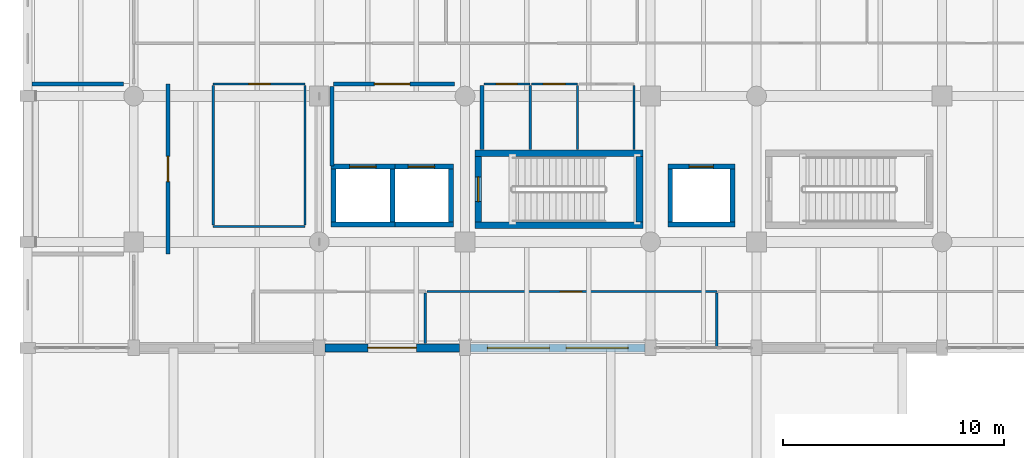
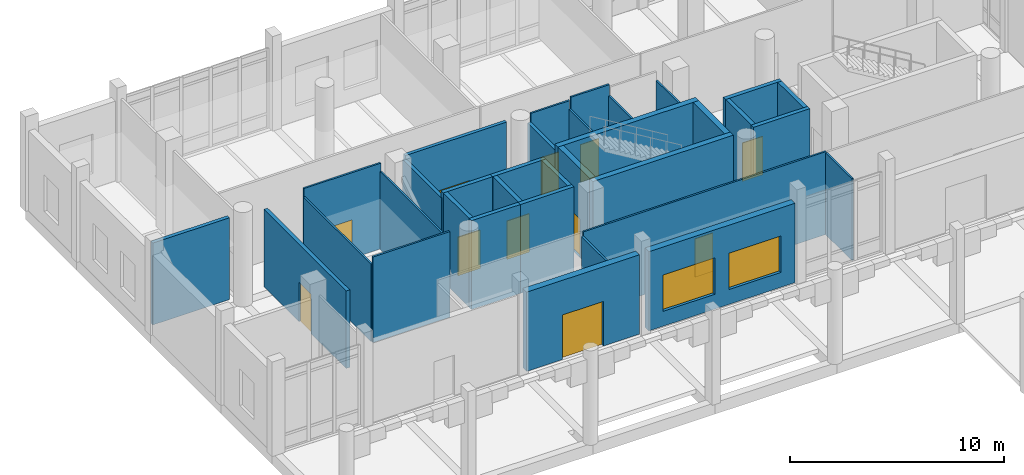
# One storey, part 49 of 72: 34 walls, 11 doors, 2 windows, 13 openings.
"""IFC4 building model written with IfcOpenShell, lengths in metres."""

import ifcopenshell
import ifcopenshell.guid

model = None  # the IFC model being written
_history = None  # IfcOwnerHistory: only IFC2X3 demands one
_inside = {}  # id of a spatial element -> (the spatial element, [elements in it])
_under = {}  # id of a project, library or spatial element -> (it, [spatial elements below it])
_declared = {}  # id of a project -> (the project, [libraries it declares])
_typed = {}  # id of a type object -> (the type object, [elements of that type])
_made_of = {}  # id of a material, layer set ... -> (it, [elements and type objects made of it])


def new_model(schema):
    """Start an empty IFC model of exactly this schema.

    Asked for "IFC4X3", IfcOpenShell would pick the latest addendum, in which some entities
    have other attributes; the version numbers below select the first issue.
    IFC2X3 requires an IfcOwnerHistory on every rooted entity: one is made here for all.
    """
    global model, _history
    if schema == "IFC4X3":
        model = ifcopenshell.file(schema_version=(4, 3, 0, 0))
    else:
        model = ifcopenshell.file(schema=schema)
    _inside.clear()
    _under.clear()
    _declared.clear()
    _typed.clear()
    _made_of.clear()
    _history = None
    if model.schema == "IFC2X3":
        org = make("IfcOrganization", Name="unknown")
        user = make(
            "IfcPersonAndOrganization",
            ThePerson=make("IfcPerson", FamilyName="unknown"),
            TheOrganization=org,
        )
        app = make(
            "IfcApplication",
            ApplicationDeveloper=org,
            Version="unknown",
            ApplicationFullName="unknown",
            ApplicationIdentifier="unknown",
        )
        _history = make(
            "IfcOwnerHistory",
            OwningUser=user,
            OwningApplication=app,
            ChangeAction="ADDED",
            CreationDate=0,
        )
    return model


def make(cls, **values):
    """One entity of the class cls with the attributes given. An attribute that is None is left unset."""
    return model.create_entity(
        cls, **{name: value for name, value in values.items() if value is not None}
    )


def rooted(cls, **values):
    """An entity with a GlobalId (a new one), such as an element, a storey or a relation."""
    return make(cls, GlobalId=ifcopenshell.guid.new(), OwnerHistory=_history, **values)


def si_unit(unit_type, name, prefix=None):
    """IfcSIUnit, for example si_unit("LENGTHUNIT", "METRE", prefix="MILLI")."""
    return make("IfcSIUnit", UnitType=unit_type, Prefix=prefix, Name=name)


def assignment(units):
    """IfcUnitAssignment: the units of a project."""
    return None if units is None else make("IfcUnitAssignment", Units=units)


def point(xyz):
    """IfcCartesianPoint."""
    return None if xyz is None else make("IfcCartesianPoint", Coordinates=xyz)


def direction(xyz):
    """IfcDirection."""
    return None if xyz is None else make("IfcDirection", DirectionRatios=xyz)


def frame(location, z_axis=None, x_axis=None):
    """IfcAxis2Placement3D, a coordinate frame: its origin and axes. An axis left out is left unset."""
    return make(
        "IfcAxis2Placement3D",
        Location=point(location),
        Axis=direction(z_axis),
        RefDirection=direction(x_axis),
    )


def frame_2d(location, x_axis=None):
    """IfcAxis2Placement2D, a coordinate frame in the plane: its origin and x axis."""
    return make(
        "IfcAxis2Placement2D", Location=point(location), RefDirection=direction(x_axis)
    )


def origin():
    """The frame at (0, 0, 0) with its axes left unset."""
    return frame((0.0, 0.0, 0.0))


def place(relative_to, where):
    """IfcLocalPlacement: puts the frame where relative to a parent placement (None: the world)."""
    return make(
        "IfcLocalPlacement", PlacementRelTo=relative_to, RelativePlacement=where
    )


def context(
    kind, dimensions, precision=None, world=None, true_north=None, identifier=None
):
    """IfcGeometricRepresentationContext, for example the 3D "Model" context."""
    return make(
        "IfcGeometricRepresentationContext",
        ContextIdentifier=identifier,
        ContextType=kind,
        CoordinateSpaceDimension=dimensions,
        Precision=precision,
        WorldCoordinateSystem=world,
        TrueNorth=true_north,
    )


def subcontext(parent, identifier, kind, view, scale=None):
    """IfcGeometricRepresentationSubContext, for example "Body" below "Model"."""
    return make(
        "IfcGeometricRepresentationSubContext",
        ContextIdentifier=identifier,
        ContextType=kind,
        ParentContext=parent,
        TargetScale=scale,
        TargetView=view,
    )


def project(units=None, contexts=None):
    """IfcProject with its units and contexts."""
    return rooted(
        "IfcProject",
        Name="project",
        RepresentationContexts=contexts,
        UnitsInContext=assignment(units),
    )


def spatial(cls, under=None, at=None, **own):
    """A site, building, storey or space (cls), placed at a placement, below another one or the project."""
    s = rooted(cls, ObjectPlacement=at, **own)
    if under is not None:
        _under.setdefault(under.id(), (under, []))[1].append(s)
    return s


def profile(cls, at=None, kind="AREA", **sizes):
    """A parametric profile (cls). Its sizes go by their IFC names, for example OverallWidth=200.0."""
    return make(cls, ProfileType=kind, Position=at, **sizes)


def rectangle(**sizes):
    """IfcRectangleProfileDef."""
    return profile("IfcRectangleProfileDef", **sizes)


def extrude(swept, where, along, depth):
    """IfcExtrudedAreaSolid: the profile swept, set in the frame where, extruded along a direction by depth."""
    return make(
        "IfcExtrudedAreaSolid",
        SweptArea=swept,
        Position=where,
        ExtrudedDirection=direction(along),
        Depth=depth,
    )


def shape(context_of_items, identifier, shape_type, items):
    """IfcShapeRepresentation: the items that make up one representation, for example the "Body"."""
    return make(
        "IfcShapeRepresentation",
        ContextOfItems=context_of_items,
        RepresentationIdentifier=identifier,
        RepresentationType=shape_type,
        Items=items,
    )


def material(Name=None, Category=None):
    """IfcMaterial."""
    return make("IfcMaterial", Name=Name, Category=Category)


def layer(
    of_material, thickness, ventilated=None, Name=None, Category=None, Priority=None
):
    """IfcMaterialLayer: one layer of a wall or slab, of a material (None: an air gap)."""
    return make(
        "IfcMaterialLayer",
        Material=of_material,
        LayerThickness=thickness,
        IsVentilated=ventilated,
        Name=Name,
        Category=Category,
        Priority=Priority,
    )


def layer_set(layers, Name=None):
    """IfcMaterialLayerSet."""
    return make("IfcMaterialLayerSet", MaterialLayers=layers, LayerSetName=Name)


def made_of(thing, what):
    """Note that an element or type object is made of a material, layer set ...; save() writes the relation."""
    if what is not None:
        _made_of.setdefault(what.id(), (what, []))[1].append(thing)
    return thing


def type_object(cls, material=None, **own):
    """A type object (cls), such as IfcWallType, which elements share."""
    return made_of(rooted(cls, **own), material)


def element(
    cls,
    number,
    at=None,
    inside=None,
    cuts=None,
    type_object=None,
    material=None,
    context=None,
    identifier="Body",
    shape_type=None,
    held_by="IfcProductDefinitionShape",
    body=None,
    shapes=None,
    **own,
):
    """One element of the class cls, such as IfcWall. Its Tag is "e" and its number.

    at: its placement. inside: the storey or other place that contains it. cuts: it is an
    opening in that element (IfcRelVoidsElement). A single representation is given by context,
    identifier, shape_type and body (its items); several are given by shapes. held_by: the class
    of the entity that holds the representations. save() writes the other relations.
    """
    e = rooted(cls, Tag="e%d" % number, ObjectPlacement=at, **own)
    if body is not None:
        shapes = [shape(context, identifier, shape_type, body)]
    if shapes is not None:
        e.Representation = make(held_by, Representations=shapes)
    if inside is not None:
        _inside.setdefault(inside.id(), (inside, []))[1].append(e)
    if cuts is not None:
        rooted(
            "IfcRelVoidsElement", RelatingBuildingElement=cuts, RelatedOpeningElement=e
        )
    if type_object is not None:
        _typed.setdefault(type_object.id(), (type_object, []))[1].append(e)
    return made_of(e, material)


def fill(opening, filler):
    """IfcRelFillsElement: the door or window that sits in an opening."""
    return rooted(
        "IfcRelFillsElement",
        RelatingOpeningElement=opening,
        RelatedBuildingElement=filler,
    )


def aggregate(whole, parts):
    """IfcRelAggregates: a whole, such as a stair, and the parts it consists of."""
    return rooted("IfcRelAggregates", RelatingObject=whole, RelatedObjects=parts)


def save(model, path):
    """Write the relations noted so far, then the file.

    IfcRelAggregates (storeys below a building ...), IfcRelContainedInSpatialStructure (elements
    in a storey), IfcRelDefinesByType, IfcRelAssociatesMaterial and IfcRelDeclares: one each for
    every whole, place, type object, material and project.
    """
    for whole, parts in _under.values():
        aggregate(whole, parts)
    for where, things in _inside.values():
        rooted(
            "IfcRelContainedInSpatialStructure",
            RelatedElements=things,
            RelatingStructure=where,
        )
    for kind, things in _typed.values():
        rooted("IfcRelDefinesByType", RelatedObjects=things, RelatingType=kind)
    for what, things in _made_of.values():
        rooted("IfcRelAssociatesMaterial", RelatedObjects=things, RelatingMaterial=what)
    for by, libraries in _declared.values():
        rooted("IfcRelDeclares", RelatingContext=by, RelatedDefinitions=libraries)
    model.write(path)


model = new_model("IFC4")

# Units and contexts
model_context = context("Model", 3, precision=1e-05, world=origin(), true_north=direction((0.0, 1.0)))
body_context = subcontext(model_context, "Body", "Model", "MODEL_VIEW")
ifc_project = project(units=[si_unit("LENGTHUNIT", "METRE"), si_unit("AREAUNIT", "SQUARE_METRE"), si_unit("VOLUMEUNIT", "CUBIC_METRE"), si_unit("PLANEANGLEUNIT", "RADIAN"), si_unit("MASSUNIT", "GRAM", prefix="KILO")], contexts=[model_context])

# Site, building, storey
site_placement = place(None, origin())
site = spatial("IfcSite", under=ifc_project, at=site_placement, CompositionType="ELEMENT")
building_placement = place(site_placement, origin())
building = spatial("IfcBuilding", under=site, at=building_placement, Name="Dornvale Research Institute", CompositionType="ELEMENT")
storey_placement = place(building_placement, origin())
storey = spatial("IfcBuildingStorey", under=building, at=storey_placement, Name="L00", CompositionType="ELEMENT", Elevation=0.0)

# Wall
ifc_material_1 = material(Name="Acoustic Insulated Double-Stud Laboratory Partition")
ifc_layer_1 = layer(ifc_material_1, 0.1201171875)
ifc_layer_set_1 = layer_set([ifc_layer_1], Name="Acoustic Insulated Double-Stud Laboratory Partition")
wall_type_1 = type_object("IfcWallType", Name="Partition_Dry_120", PredefinedType="PARTITIONING", material=ifc_layer_set_1)
wall_1_placement = place(storey_placement, frame((18.0, 99.195068359375, 0.0), z_axis=(0.0, 0.0, 1.0), x_axis=(0.0, 1.0, 0.0)))
element("IfcWall", 1, at=wall_1_placement, inside=storey, type_object=wall_type_1, Name="L00 V5 interior partition #87", PredefinedType="PARTITIONING", context=body_context, shape_type="SweptSolid", body=[
    extrude(rectangle(XDim=2.280029296875, YDim=0.1201171875, at=frame_2d((1.14013671875, 0.0))), origin(), (0.0, 0.0, 1.0), 4.530029296875),
])

# Wall, opening, door
ifc_material_2 = material(Name="Fire-Rated Gypsum Board on Cold-Formed Steel Studs", Category="steel")
ifc_layer_2 = layer(ifc_material_2, 0.179931640625)
ifc_layer_set_2 = layer_set([ifc_layer_2], Name="Fire-Rated Gypsum Board on Cold-Formed Steel Studs")
wall_type_2 = type_object("IfcWallType", Name="Partition_FireLobby_180", PredefinedType="PARTITIONING", material=ifc_layer_set_2)
wall_2_placement = place(storey_placement, frame((13.85009765625, 110.949951171875, 0.0), z_axis=(0.0, 0.0, 1.0), x_axis=(1.0, 0.0, 0.0)))
wall_2 = element("IfcWall", 2, at=wall_2_placement, inside=storey, type_object=wall_type_2, Name="L00 Fire Service Access Elevator Lobby north rated partition", PredefinedType="PARTITIONING", context=body_context, shape_type="SweptSolid", body=[
    extrude(rectangle(XDim=5.469970703125, YDim=0.179931640625, at=frame_2d((2.73486328125, 0.0))), origin(), (0.0, 0.0, 1.0), 4.89501953125),
])
opening_1_placement = place(wall_2_placement, frame((1.85009765625, 0.0, 0.0)))
opening_1 = element("IfcOpeningElement", 3, at=opening_1_placement, cuts=wall_2, Name="Opening FD-01", PredefinedType="OPENING", context=body_context, shape_type="SweptSolid", body=[
    extrude(rectangle(XDim=1.60009765625, YDim=2.25, at=frame_2d((0.800048828125, 1.125))), frame((0.0, 0.10498046875, 0.0), z_axis=(0.0, -1.0, 0.0), x_axis=(1.0, 0.0, 0.0)), (0.0, 0.0, 1.0), 0.2099609375),
])
ifc_material_3 = material(Name="Insulated Fire-Rated Hollow Metal Door Assembly")
door_type_1 = type_object("IfcDoorType", Name="Door_FireLobby_1600x2250", OperationType="SINGLE_SWING_LEFT", PredefinedType="DOOR", material=ifc_material_3)
door_1_placement = place(opening_1_placement, origin())
door_1 = element("IfcDoor", 4, at=door_1_placement, inside=storey, type_object=door_type_1, Name="L00 Fire Service Access Elevator Lobby door", OperationType="DOUBLE_DOOR_SINGLE_SWING", OverallHeight=2.25, OverallWidth=1.60009765625, PredefinedType="DOOR", context=body_context, shape_type="SweptSolid", body=[
    extrude(rectangle(XDim=1.60009765625, YDim=2.25, at=frame_2d((0.800048828125, 1.125))), frame((0.0, 0.02490234375, 0.0), z_axis=(0.0, -1.0, 0.0), x_axis=(1.0, 0.0, 0.0)), (0.0, 0.0, 1.0), 0.050048828125),
])
fill(opening_1, door_1)

# Walls
wall_3_placement = place(storey_placement, frame((13.780029296875, 107.22998046875, 0.0), z_axis=(0.0, 0.0, 1.0), x_axis=(0.0, 1.0, 0.0)))
element("IfcWall", 5, at=wall_3_placement, inside=storey, type_object=wall_type_2, Name="L00 Fire Service Access Elevator Lobby west rated partition", PredefinedType="PARTITIONING", context=body_context, shape_type="SweptSolid", body=[
    extrude(rectangle(XDim=3.610107421875, YDim=0.179931640625, at=frame_2d((1.80517578125, 0.0))), origin(), (0.0, 0.0, 1.0), 4.72998046875),
])
wall_4_placement = place(storey_placement, frame((20.56005859375, 107.97998046875, 0.0), z_axis=(0.0, 0.0, 1.0), x_axis=(0.0, 1.0, 0.0)))
element("IfcWall", 6, at=wall_4_placement, inside=storey, type_object=wall_type_2, Name="L00 Fire Service Access Elevator Lobby east rated partition", PredefinedType="PARTITIONING", context=body_context, shape_type="SweptSolid", body=[
    extrude(rectangle(XDim=2.909912109375, YDim=0.179931640625, at=frame_2d((1.455078125, 0.0))), origin(), (0.0, 0.0, 1.0), 4.429931640625),
])
ifc_material_4 = material(Name="Fire-Rated Gypsum Board on Cold-Formed Steel Studs", Category="steel")
ifc_layer_3 = layer(ifc_material_4, 0.199951171875)
ifc_layer_set_3 = layer_set([ifc_layer_3], Name="Fire-Rated Gypsum Board on Cold-Formed Steel Studs")
wall_type_3 = type_object("IfcWallType", Name="Partition_FireWall_200", PredefinedType="PARTITIONING", material=ifc_layer_set_3)
wall_5_placement = place(storey_placement, frame((0.195068359375, 110.949951171875, 0.0), z_axis=(0.0, 0.0, 1.0), x_axis=(1.0, 0.0, 0.0)))
element("IfcWall", 7, at=wall_5_placement, inside=storey, type_object=wall_type_3, Name="L00 V5 interior partition #69", PredefinedType="PARTITIONING", context=body_context, shape_type="SweptSolid", body=[
    extrude(rectangle(XDim=4.135009765625, YDim=0.199951171875, at=frame_2d((2.0673828125, 0.0))), origin(), (0.0, 0.0, 1.0), 4.679931640625),
])

# Wall, opening, door
wall_6_placement = place(storey_placement, frame((6.35009765625, 103.25, 0.0), z_axis=(0.0, 0.0, 1.0), x_axis=(0.0, 1.0, 0.0)))
wall_6 = element("IfcWall", 8, at=wall_6_placement, inside=storey, type_object=wall_type_3, Name="L00 V5 interior partition #70", PredefinedType="PARTITIONING", context=body_context, shape_type="SweptSolid", body=[
    extrude(rectangle(XDim=7.699951171875, YDim=0.199951171875, at=frame_2d((3.85009765625, 0.0))), origin(), (0.0, 0.0, 1.0), 4.429931640625),
])
opening_2_placement = place(wall_6_placement, frame((3.27490234375, 0.0, 0.0)))
opening_2 = element("IfcOpeningElement", 9, at=opening_2_placement, cuts=wall_6, Name="Opening FD-02", PredefinedType="OPENING", context=body_context, shape_type="SweptSolid", body=[
    extrude(rectangle(XDim=1.14990234375, YDim=2.25, at=frame_2d((0.574951171875, 1.125))), frame((0.0, 0.114990234375, 0.0), z_axis=(0.0, -1.0, 0.0), x_axis=(1.0, 0.0, 0.0)), (0.0, 0.0, 1.0), 0.22998046875),
])
ifc_material_5 = material(Name="Insulated Fire-Rated Hollow Metal Door Assembly")
door_type_2 = type_object("IfcDoorType", Name="Door_FCC_1150x2250", OperationType="SINGLE_SWING_LEFT", PredefinedType="DOOR", material=ifc_material_5)
door_2_placement = place(opening_2_placement, origin())
door_2 = element("IfcDoor", 10, at=door_2_placement, inside=storey, type_object=door_type_2, Name="L00 Fire Command Center door #30", OperationType="SINGLE_SWING_LEFT", OverallHeight=2.25, OverallWidth=1.14990234375, PredefinedType="DOOR", context=body_context, shape_type="SweptSolid", body=[
    extrude(rectangle(XDim=1.14990234375, YDim=2.25, at=frame_2d((0.574951171875, 1.125))), frame((0.0, 0.02490234375, 0.0), z_axis=(0.0, -1.0, 0.0), x_axis=(1.0, 0.0, 0.0)), (0.0, 0.0, 1.0), 0.050048828125),
])
fill(opening_2, door_2)

ifc_material_6 = material(Name="Acoustic Insulated Double-Stud Laboratory Partition")
ifc_layer_4 = layer(ifc_material_6, 0.10009765625)
ifc_layer_set_4 = layer_set([ifc_layer_4], Name="Acoustic Insulated Double-Stud Laboratory Partition")
wall_type_4 = type_object("IfcWallType", Name="Partition_Office_100", PredefinedType="PARTITIONING", material=ifc_layer_set_4)
wall_7_placement = place(storey_placement, frame((20.6650390625, 110.949951171875, 0.0), z_axis=(0.0, 0.0, 1.0), x_axis=(1.0, 0.0, 0.0)))
wall_7 = element("IfcWall", 11, at=wall_7_placement, inside=storey, type_object=wall_type_4, Name="L00 V5 interior partition #62", PredefinedType="PARTITIONING", context=body_context, shape_type="SweptSolid", body=[
    extrude(rectangle(XDim=2.0849609375, YDim=0.10009765625, at=frame_2d((1.04248046875, 0.0))), origin(), (0.0, 0.0, 1.0), 4.89501953125),
])
opening_3_placement = place(wall_7_placement, frame((0.56005859375, 0.0, 0.0)))
opening_3 = element("IfcOpeningElement", 12, at=opening_3_placement, cuts=wall_7, Name="Opening ID-23", PredefinedType="OPENING", context=body_context, shape_type="SweptSolid", body=[
    extrude(rectangle(XDim=0.949951171875, YDim=2.14990234375, at=frame_2d((0.47509765625, 1.074951171875))), frame((0.0, 0.06494140625, 0.0), z_axis=(0.0, -1.0, 0.0), x_axis=(1.0, 0.0, 0.0)), (0.0, 0.0, 1.0), 0.130126953125),
])
ifc_material_7 = material(Name="Phenolic-Faced Solid-Core Laboratory Door Assembly")
door_type_3 = type_object("IfcDoorType", Name="Door_WC_950x2150", OperationType="SINGLE_SWING_LEFT", PredefinedType="DOOR", material=ifc_material_7)
door_3_placement = place(opening_3_placement, origin())
door_3 = element("IfcDoor", 13, at=door_3_placement, inside=storey, type_object=door_type_3, Name="L00 Male Restroom L00 door #27", OperationType="SINGLE_SWING_RIGHT", OverallHeight=2.14990234375, OverallWidth=0.949951171875, PredefinedType="DOOR", context=body_context, shape_type="SweptSolid", body=[
    extrude(rectangle(XDim=0.949951171875, YDim=2.14990234375, at=frame_2d((0.47509765625, 1.074951171875))), frame((0.0, 0.02490234375, 0.0), z_axis=(0.0, -1.0, 0.0), x_axis=(1.0, 0.0, 0.0)), (0.0, 0.0, 1.0), 0.050048828125),
])
fill(opening_3, door_3)

# Wall
wall_8_placement = place(storey_placement, frame((22.75, 107.97998046875, 0.0), z_axis=(0.0, 0.0, 1.0), x_axis=(0.0, 1.0, 0.0)))
element("IfcWall", 14, at=wall_8_placement, inside=storey, type_object=wall_type_4, Name="L00 V5 interior partition #63", PredefinedType="PARTITIONING", context=body_context, shape_type="SweptSolid", body=[
    extrude(rectangle(XDim=2.905029296875, YDim=0.10009765625, at=frame_2d((1.45263671875, 0.0))), origin(), (0.0, 0.0, 1.0), 4.429931640625),
])

# Wall, opening, door
wall_9_placement = place(storey_placement, frame((22.81494140625, 110.949951171875, 0.0), z_axis=(0.0, 0.0, 1.0), x_axis=(1.0, 0.0, 0.0)))
wall_9 = element("IfcWall", 15, at=wall_9_placement, inside=storey, type_object=wall_type_4, Name="L00 V5 interior partition #64", PredefinedType="PARTITIONING", context=body_context, shape_type="SweptSolid", body=[
    extrude(rectangle(XDim=2.0849609375, YDim=0.10009765625, at=frame_2d((1.04248046875, 0.0))), origin(), (0.0, 0.0, 1.0), 5.06005859375),
])
opening_4_placement = place(wall_9_placement, frame((0.534912109375, 0.0, 0.0)))
opening_4 = element("IfcOpeningElement", 16, at=opening_4_placement, cuts=wall_9, Name="Opening ID-24", PredefinedType="OPENING", context=body_context, shape_type="SweptSolid", body=[
    extrude(rectangle(XDim=1.0, YDim=2.14990234375, at=frame_2d((0.5, 1.074951171875))), frame((0.0, 0.06494140625, 0.0), z_axis=(0.0, -1.0, 0.0), x_axis=(1.0, 0.0, 0.0)), (0.0, 0.0, 1.0), 0.130126953125),
])
ifc_material_8 = material(Name="Phenolic-Faced Solid-Core Laboratory Door Assembly")
door_type_4 = type_object("IfcDoorType", Name="Door_AccWC_1000x2150", OperationType="SINGLE_SWING_LEFT", PredefinedType="DOOR", material=ifc_material_8)
door_4_placement = place(opening_4_placement, origin())
door_4 = element("IfcDoor", 17, at=door_4_placement, inside=storey, type_object=door_type_4, Name="L00 Female Restroom L00 door #28", OperationType="SINGLE_SWING_LEFT", OverallHeight=2.14990234375, OverallWidth=1.0, PredefinedType="DOOR", context=body_context, shape_type="SweptSolid", body=[
    extrude(rectangle(XDim=1.0, YDim=2.14990234375, at=frame_2d((0.5, 1.074951171875))), frame((0.0, 0.02490234375, 0.0), z_axis=(0.0, -1.0, 0.0), x_axis=(1.0, 0.0, 0.0)), (0.0, 0.0, 1.0), 0.050048828125),
])
fill(opening_4, door_4)

# Walls
for number, where, z_axis, x_axis, name in (
    (18, (24.89990234375, 107.97998046875, 0.0), (0.0, 0.0, 1.0), (0.0, 1.0, 0.0), "L00 V5 interior partition #65"),
    (19, (27.449951171875, 107.97998046875, 0.0), (0.0, 0.0, 1.0), (0.0, 1.0, 0.0), "L00 V5 interior partition #67"),
):
    element("IfcWall", number, at=place(storey_placement, frame(where, z_axis=z_axis, x_axis=x_axis)), inside=storey, type_object=wall_type_4, Name=name, PredefinedType="PARTITIONING", context=body_context, shape_type="SweptSolid", body=[
        extrude(rectangle(XDim=2.905029296875, YDim=0.10009765625, at=frame_2d((1.45263671875, 0.0))), origin(), (0.0, 0.0, 1.0), 4.429931640625),
    ])
wall_10_placement = place(storey_placement, frame((8.39990234375, 104.5, 0.0), z_axis=(0.0, 0.0, 1.0), x_axis=(1.0, 0.0, 0.0)))
element("IfcWall", 20, at=wall_10_placement, inside=storey, type_object=wall_type_4, Name="L00 V5 interior partition #71", PredefinedType="PARTITIONING", context=body_context, shape_type="SweptSolid", body=[
    extrude(rectangle(XDim=4.150146484375, YDim=0.10009765625, at=frame_2d((2.0751953125, 0.0))), origin(), (0.0, 0.0, 1.0), 4.89501953125),
])

# Wall, opening, door
wall_11_placement = place(storey_placement, frame((8.39990234375, 110.949951171875, 0.0), z_axis=(0.0, 0.0, 1.0), x_axis=(1.0, 0.0, 0.0)))
wall_11 = element("IfcWall", 21, at=wall_11_placement, inside=storey, type_object=wall_type_4, Name="L00 V5 interior partition #72", PredefinedType="PARTITIONING", context=body_context, shape_type="SweptSolid", body=[
    extrude(rectangle(XDim=4.150146484375, YDim=0.10009765625, at=frame_2d((2.0751953125, 0.0))), origin(), (0.0, 0.0, 1.0), 4.89501953125),
])
opening_5_placement = place(wall_11_placement, frame((1.610107421875, 0.0, 0.0)))
opening_5 = element("IfcOpeningElement", 22, at=opening_5_placement, cuts=wall_11, Name="Opening ID-21", PredefinedType="OPENING", context=body_context, shape_type="SweptSolid", body=[
    extrude(rectangle(XDim=0.97998046875, YDim=2.199951171875, at=frame_2d((0.489990234375, 1.10009765625))), frame((0.0, 0.06494140625, 0.0), z_axis=(0.0, -1.0, 0.0), x_axis=(1.0, 0.0, 0.0)), (0.0, 0.0, 1.0), 0.130126953125),
])
ifc_material_9 = material(Name="Phenolic-Faced Solid-Core Laboratory Door Assembly")
door_type_5 = type_object("IfcDoorType", Name="Door_Office_980x2200", OperationType="SINGLE_SWING_LEFT", PredefinedType="DOOR", material=ifc_material_9)
door_5_placement = place(opening_5_placement, origin())
door_5 = element("IfcDoor", 23, at=door_5_placement, inside=storey, type_object=door_type_5, Name="L00 Campus Security and Operations Office door #31", OperationType="SINGLE_SWING_RIGHT", OverallHeight=2.199951171875, OverallWidth=0.97998046875, PredefinedType="DOOR", context=body_context, shape_type="SweptSolid", body=[
    extrude(rectangle(XDim=0.97998046875, YDim=2.199951171875, at=frame_2d((0.489990234375, 1.10009765625))), frame((0.0, 0.02490234375, 0.0), z_axis=(0.0, -1.0, 0.0), x_axis=(1.0, 0.0, 0.0)), (0.0, 0.0, 1.0), 0.050048828125),
])
fill(opening_5, door_5)

# Walls
for number, where, z_axis, x_axis, name in (
    (24, (8.39990234375, 104.56494140625, 0.0), (0.0, 0.0, 1.0), (0.0, 1.0, 0.0), "L00 V5 interior partition #73"),
    (25, (12.550048828125, 104.56494140625, 0.0), (0.0, 0.0, 1.0), (0.0, 1.0, 0.0), "L00 V5 interior partition #74"),
):
    element("IfcWall", number, at=place(storey_placement, frame(where, z_axis=z_axis, x_axis=x_axis)), inside=storey, type_object=wall_type_4, Name=name, PredefinedType="PARTITIONING", context=body_context, shape_type="SweptSolid", body=[
        extrude(rectangle(XDim=6.320068359375, YDim=0.10009765625, at=frame_2d((3.16015625, 0.0))), origin(), (0.0, 0.0, 1.0), 4.429931640625),
    ])

# Wall, opening, door
wall_12_placement = place(storey_placement, frame((18.074951171875, 101.550048828125, 0.0), z_axis=(0.0, 0.0, 1.0), x_axis=(1.0, 0.0, 0.0)))
wall_12 = element("IfcWall", 26, at=wall_12_placement, inside=storey, type_object=wall_type_4, Name="L00 V5 interior partition #88", PredefinedType="PARTITIONING", context=body_context, shape_type="SweptSolid", body=[
    extrude(rectangle(XDim=13.125, YDim=0.10009765625, at=frame_2d((6.5625, 0.0))), origin(), (0.0, 0.0, 1.0), 4.72998046875),
])
opening_6_placement = place(wall_12_placement, frame((6.034912109375, 0.0, 0.0)))
opening_6 = element("IfcOpeningElement", 27, at=opening_6_placement, cuts=wall_12, Name="Opening ID-21", PredefinedType="OPENING", context=body_context, shape_type="SweptSolid", body=[
    extrude(rectangle(XDim=0.97998046875, YDim=2.199951171875, at=frame_2d((0.489990234375, 1.10009765625))), frame((0.0, 0.06494140625, 0.0), z_axis=(0.0, -1.0, 0.0), x_axis=(1.0, 0.0, 0.0)), (0.0, 0.0, 1.0), 0.130126953125),
])
door_6_placement = place(opening_6_placement, origin())
door_6 = element("IfcDoor", 28, at=door_6_placement, inside=storey, type_object=door_type_5, Name="L00 Academic Administration Office door #39", OperationType="SINGLE_SWING_RIGHT", OverallHeight=2.199951171875, OverallWidth=0.97998046875, PredefinedType="DOOR", context=body_context, shape_type="SweptSolid", body=[
    extrude(rectangle(XDim=0.97998046875, YDim=2.199951171875, at=frame_2d((0.489990234375, 1.10009765625))), frame((0.0, 0.02490234375, 0.0), z_axis=(0.0, -1.0, 0.0), x_axis=(1.0, 0.0, 0.0)), (0.0, 0.0, 1.0), 0.050048828125),
])
fill(opening_6, door_6)

# Walls
wall_13_placement = place(storey_placement, frame((31.199951171875, 99.0400390625, 0.0), z_axis=(0.0, 0.0, 1.0), x_axis=(0.0, 1.0, 0.0)))
element("IfcWall", 29, at=wall_13_placement, inside=storey, type_object=wall_type_4, Name="L00 V5 interior partition #89", PredefinedType="PARTITIONING", context=body_context, shape_type="SweptSolid", body=[
    extrude(rectangle(XDim=2.445068359375, YDim=0.10009765625, at=frame_2d((1.22265625, 0.0))), origin(), (0.0, 0.0, 1.0), 4.679931640625),
])
ifc_material_10 = material(Name="Concrete f'c 50 MPa (C40/50)", Category="concrete")
ifc_layer_5 = layer(ifc_material_10, 0.300048828125)
ifc_layer_set_5 = layer_set([ifc_layer_5], Name="Concrete f'c 50 MPa (C40/50)")
wall_type_5 = type_object("IfcWallType", Name="ShearWall_Core_300", PredefinedType="SHEAR", material=ifc_layer_set_5)
for number, where, z_axis, x_axis, name in (
    (30, (20.25, 104.550048828125, 0.0), (0.0, 0.0, 1.0), (1.0, 0.0, 0.0), "L00 ST-1 shaft shear wall south"),
    (31, (20.25, 107.81005859375, 0.0), (0.0, 0.0, 1.0), (1.0, 0.0, 0.0), "L00 ST-1 shaft shear wall north"),
):
    element("IfcWall", number, at=place(storey_placement, frame(where, z_axis=z_axis, x_axis=x_axis)), inside=storey, type_object=wall_type_5, Name=name, PredefinedType="SHEAR", context=body_context, shape_type="SweptSolid", body=[
        extrude(rectangle(XDim=7.60009765625, YDim=0.300048828125, at=frame_2d((3.800048828125, 0.0))), origin(), (0.0, 0.0, 1.0), 5.080078125),
    ])

# Wall, opening, door
wall_14_placement = place(storey_placement, frame((20.39990234375, 104.699951171875, 0.0), z_axis=(0.0, 0.0, 1.0), x_axis=(0.0, 1.0, 0.0)))
wall_14 = element("IfcWall", 32, at=wall_14_placement, inside=storey, type_object=wall_type_5, Name="L00 ST-1 shaft shear wall west", PredefinedType="SHEAR", context=body_context, shape_type="SweptSolid", body=[
    extrude(rectangle(XDim=2.9599609375, YDim=0.300048828125, at=frame_2d((1.47998046875, 0.0))), origin(), (0.0, 0.0, 1.0), 5.080078125),
])
opening_7_placement = place(wall_14_placement, frame((0.919921875, 0.0, 0.0)))
opening_7 = element("IfcOpeningElement", 33, at=opening_7_placement, cuts=wall_14, Name="Opening SD-01", PredefinedType="OPENING", context=body_context, shape_type="SweptSolid", body=[
    extrude(rectangle(XDim=1.1201171875, YDim=2.199951171875, at=frame_2d((0.56005859375, 1.10009765625))), frame((0.0, 0.1650390625, 0.0), z_axis=(0.0, -1.0, 0.0), x_axis=(1.0, 0.0, 0.0)), (0.0, 0.0, 1.0), 0.330078125),
])
ifc_material_11 = material(Name="Insulated Fire-Rated Hollow Metal Door Assembly")
door_type_6 = type_object("IfcDoorType", Name="Door_Stair_1120x2200", OperationType="SINGLE_SWING_LEFT", PredefinedType="DOOR", material=ifc_material_11)
door_7_placement = place(opening_7_placement, origin())
door_7 = element("IfcDoor", 34, at=door_7_placement, inside=storey, type_object=door_type_6, Name="L00 ST-1 exit stair door #2", OperationType="SINGLE_SWING_RIGHT", OverallHeight=2.199951171875, OverallWidth=1.1201171875, PredefinedType="DOOR", context=body_context, shape_type="SweptSolid", body=[
    extrude(rectangle(XDim=1.1201171875, YDim=2.199951171875, at=frame_2d((0.56005859375, 1.10009765625))), frame((0.0, 0.02490234375, 0.0), z_axis=(0.0, -1.0, 0.0), x_axis=(1.0, 0.0, 0.0)), (0.0, 0.0, 1.0), 0.050048828125),
])
fill(opening_7, door_7)

# Walls
wall_15_placement = place(storey_placement, frame((27.699951171875, 104.699951171875, 0.0), z_axis=(0.0, 0.0, 1.0), x_axis=(0.0, 1.0, 0.0)))
element("IfcWall", 35, at=wall_15_placement, inside=storey, type_object=wall_type_5, Name="L00 ST-1 shaft shear wall east", PredefinedType="SHEAR", context=body_context, shape_type="SweptSolid", body=[
    extrude(rectangle(XDim=2.9599609375, YDim=0.300048828125, at=frame_2d((1.47998046875, 0.0))), origin(), (0.0, 0.0, 1.0), 5.080078125),
])
ifc_material_12 = material(Name="Concrete f'c 45 MPa (C35/45)", Category="concrete")
ifc_layer_6 = layer(ifc_material_12, 0.219970703125)
ifc_layer_set_6 = layer_set([ifc_layer_6], Name="Concrete f'c 45 MPa (C35/45)")
wall_type_6 = type_object("IfcWallType", Name="ShearWall_Shaft_220", PredefinedType="SHEAR", material=ifc_layer_set_6)
wall_16_placement = place(storey_placement, frame((13.72998046875, 104.590087890625, 0.0), z_axis=(0.0, 0.0, 1.0), x_axis=(1.0, 0.0, 0.0)))
element("IfcWall", 36, at=wall_16_placement, inside=storey, type_object=wall_type_6, Name="L00 FS1 elevator shaft wall south", PredefinedType="SHEAR", context=body_context, shape_type="SweptSolid", body=[
    extrude(rectangle(XDim=2.89013671875, YDim=0.219970703125, at=frame_2d((1.445068359375, 0.0))), origin(), (0.0, 0.0, 1.0), 5.080078125),
])

# Wall, opening, door
wall_17_placement = place(storey_placement, frame((13.72998046875, 107.2099609375, 0.0), z_axis=(0.0, 0.0, 1.0), x_axis=(1.0, 0.0, 0.0)))
wall_17 = element("IfcWall", 37, at=wall_17_placement, inside=storey, type_object=wall_type_6, Name="L00 FS1 elevator shaft wall north", PredefinedType="SHEAR", context=body_context, shape_type="SweptSolid", body=[
    extrude(rectangle(XDim=2.89013671875, YDim=0.219970703125, at=frame_2d((1.445068359375, 0.0))), origin(), (0.0, 0.0, 1.0), 5.080078125),
])
opening_8_placement = place(wall_17_placement, frame((0.844970703125, 0.0, 0.0)))
opening_8 = element("IfcOpeningElement", 38, at=opening_8_placement, cuts=wall_17, Name="Opening LD-01", PredefinedType="OPENING", context=body_context, shape_type="SweptSolid", body=[
    extrude(rectangle(XDim=1.199951171875, YDim=2.199951171875, at=frame_2d((0.60009765625, 1.10009765625))), frame((0.0, 0.125, 0.0), z_axis=(0.0, -1.0, 0.0), x_axis=(1.0, 0.0, 0.0)), (0.0, 0.0, 1.0), 0.25),
])
ifc_material_13 = material(Name="Brushed Stainless Steel Sliding Elevator Landing Door", Category="steel")
door_type_7 = type_object("IfcDoorType", Name="Door_LiftLanding_FSAE_1200x2200", OperationType="SINGLE_SWING_LEFT", PredefinedType="DOOR", material=ifc_material_13)
door_8_placement = place(opening_8_placement, origin())
door_8 = element("IfcDoor", 39, at=door_8_placement, inside=storey, type_object=door_type_7, Name="L00 FS1 sliding elevator landing door #2", OperationType="DOUBLE_DOOR_SLIDING", OverallHeight=2.199951171875, OverallWidth=1.199951171875, PredefinedType="DOOR", context=body_context, shape_type="SweptSolid", body=[
    extrude(rectangle(XDim=1.199951171875, YDim=2.199951171875, at=frame_2d((0.60009765625, 1.10009765625))), frame((0.0, 0.02490234375, 0.0), z_axis=(0.0, -1.0, 0.0), x_axis=(1.0, 0.0, 0.0)), (0.0, 0.0, 1.0), 0.050048828125),
])
fill(opening_8, door_8)

# Walls
for number, where, z_axis, x_axis, name in (
    (40, (13.840087890625, 104.699951171875, 0.0), (0.0, 0.0, 1.0), (0.0, 1.0, 0.0), "L00 FS1 elevator shaft wall west"),
    (41, (16.510009765625, 104.699951171875, 0.0), (0.0, 0.0, 1.0), (0.0, 1.0, 0.0), "L00 FS1 elevator shaft wall east"),
):
    element("IfcWall", number, at=place(storey_placement, frame(where, z_axis=z_axis, x_axis=x_axis)), inside=storey, type_object=wall_type_6, Name=name, PredefinedType="SHEAR", context=body_context, shape_type="SweptSolid", body=[
        extrude(rectangle(XDim=2.400146484375, YDim=0.219970703125, at=frame_2d((1.2001953125, 0.0))), origin(), (0.0, 0.0, 1.0), 5.080078125),
    ])
wall_18_placement = place(storey_placement, frame((16.3798828125, 104.590087890625, 0.0), z_axis=(0.0, 0.0, 1.0), x_axis=(1.0, 0.0, 0.0)))
element("IfcWall", 42, at=wall_18_placement, inside=storey, type_object=wall_type_6, Name="L00 FS2 elevator shaft wall south", PredefinedType="SHEAR", context=body_context, shape_type="SweptSolid", body=[
    extrude(rectangle(XDim=2.89013671875, YDim=0.219970703125, at=frame_2d((1.445068359375, 0.0))), origin(), (0.0, 0.0, 1.0), 5.080078125),
])

# Wall, opening, door
wall_19_placement = place(storey_placement, frame((16.3798828125, 107.2099609375, 0.0), z_axis=(0.0, 0.0, 1.0), x_axis=(1.0, 0.0, 0.0)))
wall_19 = element("IfcWall", 43, at=wall_19_placement, inside=storey, type_object=wall_type_6, Name="L00 FS2 elevator shaft wall north", PredefinedType="SHEAR", context=body_context, shape_type="SweptSolid", body=[
    extrude(rectangle(XDim=2.89013671875, YDim=0.219970703125, at=frame_2d((1.445068359375, 0.0))), origin(), (0.0, 0.0, 1.0), 5.080078125),
])
opening_9_placement = place(wall_19_placement, frame((0.844970703125, 0.0, 0.0)))
opening_9 = element("IfcOpeningElement", 44, at=opening_9_placement, cuts=wall_19, Name="Opening LD-01", PredefinedType="OPENING", context=body_context, shape_type="SweptSolid", body=[
    extrude(rectangle(XDim=1.199951171875, YDim=2.199951171875, at=frame_2d((0.60009765625, 1.10009765625))), frame((0.0, 0.125, 0.0), z_axis=(0.0, -1.0, 0.0), x_axis=(1.0, 0.0, 0.0)), (0.0, 0.0, 1.0), 0.25),
])
door_9_placement = place(opening_9_placement, origin())
door_9 = element("IfcDoor", 45, at=door_9_placement, inside=storey, type_object=door_type_7, Name="L00 FS2 sliding elevator landing door #14", OperationType="DOUBLE_DOOR_SLIDING", OverallHeight=2.199951171875, OverallWidth=1.199951171875, PredefinedType="DOOR", context=body_context, shape_type="SweptSolid", body=[
    extrude(rectangle(XDim=1.199951171875, YDim=2.199951171875, at=frame_2d((0.60009765625, 1.10009765625))), frame((0.0, 0.02490234375, 0.0), z_axis=(0.0, -1.0, 0.0), x_axis=(1.0, 0.0, 0.0)), (0.0, 0.0, 1.0), 0.050048828125),
])
fill(opening_9, door_9)

# Walls
wall_20_placement = place(storey_placement, frame((19.159912109375, 104.699951171875, 0.0), z_axis=(0.0, 0.0, 1.0), x_axis=(0.0, 1.0, 0.0)))
element("IfcWall", 46, at=wall_20_placement, inside=storey, type_object=wall_type_6, Name="L00 FS2 elevator shaft wall east", PredefinedType="SHEAR", context=body_context, shape_type="SweptSolid", body=[
    extrude(rectangle(XDim=2.400146484375, YDim=0.219970703125, at=frame_2d((1.2001953125, 0.0))), origin(), (0.0, 0.0, 1.0), 5.080078125),
])
wall_21_placement = place(storey_placement, frame((28.97998046875, 104.590087890625, 0.0), z_axis=(0.0, 0.0, 1.0), x_axis=(1.0, 0.0, 0.0)))
element("IfcWall", 47, at=wall_21_placement, inside=storey, type_object=wall_type_6, Name="L00 LP1 elevator shaft wall south", PredefinedType="SHEAR", context=body_context, shape_type="SweptSolid", body=[
    extrude(rectangle(XDim=3.0400390625, YDim=0.219970703125, at=frame_2d((1.52001953125, 0.0))), origin(), (0.0, 0.0, 1.0), 5.080078125),
])

# Wall, opening, door
wall_22_placement = place(storey_placement, frame((28.97998046875, 107.2099609375, 0.0), z_axis=(0.0, 0.0, 1.0), x_axis=(1.0, 0.0, 0.0)))
wall_22 = element("IfcWall", 48, at=wall_22_placement, inside=storey, type_object=wall_type_6, Name="L00 LP1 elevator shaft wall north", PredefinedType="SHEAR", context=body_context, shape_type="SweptSolid", body=[
    extrude(rectangle(XDim=3.0400390625, YDim=0.219970703125, at=frame_2d((1.52001953125, 0.0))), origin(), (0.0, 0.0, 1.0), 5.080078125),
])
opening_10_placement = place(wall_22_placement, frame((0.969970703125, 0.0, 0.0)))
opening_10 = element("IfcOpeningElement", 49, at=opening_10_placement, cuts=wall_22, Name="Opening LD-02", PredefinedType="OPENING", context=body_context, shape_type="SweptSolid", body=[
    extrude(rectangle(XDim=1.10009765625, YDim=2.199951171875, at=frame_2d((0.550048828125, 1.10009765625))), frame((0.0, 0.125, 0.0), z_axis=(0.0, -1.0, 0.0), x_axis=(1.0, 0.0, 0.0)), (0.0, 0.0, 1.0), 0.25),
])
ifc_material_14 = material(Name="Brushed Stainless Steel Sliding Elevator Landing Door", Category="steel")
door_type_8 = type_object("IfcDoorType", Name="Door_LiftLanding_Pass_1100x2200", OperationType="SINGLE_SWING_LEFT", PredefinedType="DOOR", material=ifc_material_14)
door_10_placement = place(opening_10_placement, origin())
door_10 = element("IfcDoor", 50, at=door_10_placement, inside=storey, type_object=door_type_8, Name="L00 LP1 sliding elevator landing door #26", OperationType="SLIDING_TO_LEFT", OverallHeight=2.199951171875, OverallWidth=1.10009765625, PredefinedType="DOOR", context=body_context, shape_type="SweptSolid", body=[
    extrude(rectangle(XDim=1.10009765625, YDim=2.199951171875, at=frame_2d((0.550048828125, 1.10009765625))), frame((0.0, 0.02490234375, 0.0), z_axis=(0.0, -1.0, 0.0), x_axis=(1.0, 0.0, 0.0)), (0.0, 0.0, 1.0), 0.050048828125),
])
fill(opening_10, door_10)

# Walls
for number, where, z_axis, x_axis, name in (
    (51, (29.090087890625, 104.699951171875, 0.0), (0.0, 0.0, 1.0), (0.0, 1.0, 0.0), "L00 LP1 elevator shaft wall west"),
    (52, (31.909912109375, 104.699951171875, 0.0), (0.0, 0.0, 1.0), (0.0, 1.0, 0.0), "L00 LP1 elevator shaft wall east"),
):
    element("IfcWall", number, at=place(storey_placement, frame(where, z_axis=z_axis, x_axis=x_axis)), inside=storey, type_object=wall_type_6, Name=name, PredefinedType="SHEAR", context=body_context, shape_type="SweptSolid", body=[
        extrude(rectangle(XDim=2.400146484375, YDim=0.219970703125, at=frame_2d((1.2001953125, 0.0))), origin(), (0.0, 0.0, 1.0), 5.080078125),
    ])

# Wall, openings, windows
ifc_material_15 = material(Name="Catalan Pressed Brick and Insulated Cavity Assembly", Category="masonry")
ifc_layer_7 = layer(ifc_material_15, 0.360107421875)
ifc_layer_set_7 = layer_set([ifc_layer_7], Name="Catalan Pressed Brick and Insulated Cavity Assembly")
wall_type_7 = type_object("IfcWallType", Name="StandardWall_BrickCavity_360", PredefinedType="STANDARD", material=ifc_layer_set_7)
wall_23_placement = place(storey_placement, frame((27.949951171875, 99.0, 0.0), z_axis=(0.0, 0.0, 1.0), x_axis=(-1.0, 0.0, 0.0)))
wall_23 = element("IfcWall", 53, at=wall_23_placement, inside=storey, type_object=wall_type_7, Name="L00 V5 south exterior wall #300", PredefinedType="STANDARD", context=body_context, shape_type="SweptSolid", body=[
    extrude(rectangle(XDim=7.89990234375, YDim=0.360107421875, at=frame_2d((3.949951171875, 0.0))), origin(), (0.0, 0.0, 1.0), 4.530029296875),
])
opening_11_placement = place(wall_23_placement, frame((0.7666015625, 0.0, 0.85009765625)))
opening_11 = element("IfcOpeningElement", 54, at=opening_11_placement, cuts=wall_23, Name="Opening W-47", PredefinedType="OPENING", context=body_context, shape_type="SweptSolid", body=[
    extrude(rectangle(XDim=2.800048828125, YDim=2.080078125, at=frame_2d((1.39990234375, 1.0400390625))), frame((0.0, 0.195068359375, 0.0), z_axis=(0.0, -1.0, 0.0), x_axis=(1.0, 0.0, 0.0)), (0.0, 0.0, 1.0), 0.39013671875),
])
opening_12_placement = place(wall_23_placement, frame((4.33349609375, 0.0, 0.85009765625)))
opening_12 = element("IfcOpeningElement", 55, at=opening_12_placement, cuts=wall_23, Name="Opening W-47", PredefinedType="OPENING", context=body_context, shape_type="SweptSolid", body=[
    extrude(rectangle(XDim=2.800048828125, YDim=2.080078125, at=frame_2d((1.39990234375, 1.0400390625))), frame((0.0, 0.195068359375, 0.0), z_axis=(0.0, -1.0, 0.0), x_axis=(1.0, 0.0, 0.0)), (0.0, 0.0, 1.0), 0.39013671875),
])
ifc_material_16 = material(Name="Low-E Argon Double Insulating Glazing Unit", Category="glass")
window_type = type_object("IfcWindowType", Name="Window_Alu_2800x2080_47", PartitioningType="DOUBLE_PANEL_VERTICAL", PredefinedType="WINDOW", material=ifc_material_16)
window_1_placement = place(opening_11_placement, origin())
window_1 = element("IfcWindow", 56, at=window_1_placement, inside=storey, type_object=window_type, Name="L00 V5 facade window W-47 #414", OverallHeight=2.080078125, OverallWidth=2.800048828125, PartitioningType="DOUBLE_PANEL_VERTICAL", PredefinedType="WINDOW", context=body_context, shape_type="SweptSolid", body=[
    extrude(rectangle(XDim=2.800048828125, YDim=2.080078125, at=frame_2d((1.39990234375, 1.0400390625))), frame((0.0, 0.030029296875, 0.0), z_axis=(0.0, -1.0, 0.0), x_axis=(1.0, 0.0, 0.0)), (0.0, 0.0, 1.0), 0.06005859375),
])
fill(opening_11, window_1)
window_2_placement = place(opening_12_placement, origin())
window_2 = element("IfcWindow", 57, at=window_2_placement, inside=storey, type_object=window_type, Name="L00 V5 facade window W-47 #415", OverallHeight=2.080078125, OverallWidth=2.800048828125, PartitioningType="DOUBLE_PANEL_VERTICAL", PredefinedType="WINDOW", context=body_context, shape_type="SweptSolid", body=[
    extrude(rectangle(XDim=2.800048828125, YDim=2.080078125, at=frame_2d((1.39990234375, 1.0400390625))), frame((0.0, 0.030029296875, 0.0), z_axis=(0.0, -1.0, 0.0), x_axis=(1.0, 0.0, 0.0)), (0.0, 0.0, 1.0), 0.06005859375),
])
fill(opening_12, window_2)

# Wall, opening, door
wall_24_placement = place(storey_placement, frame((19.550048828125, 99.0, 0.0), z_axis=(0.0, 0.0, 1.0), x_axis=(-1.0, 0.0, 0.0)))
wall_24 = element("IfcWall", 58, at=wall_24_placement, inside=storey, type_object=wall_type_7, Name="L00 V5 south exterior wall #301", PredefinedType="STANDARD", context=body_context, shape_type="SweptSolid", body=[
    extrude(rectangle(XDim=6.10009765625, YDim=0.360107421875, at=frame_2d((3.050048828125, 0.0))), origin(), (0.0, 0.0, 1.0), 4.530029296875),
])
opening_13_placement = place(wall_24_placement, frame((1.949951171875, 0.0, 0.0)))
opening_13 = element("IfcOpeningElement", 59, at=opening_13_placement, cuts=wall_24, Name="Opening ED-02", PredefinedType="OPENING", context=body_context, shape_type="SweptSolid", body=[
    extrude(rectangle(XDim=2.199951171875, YDim=2.550048828125, at=frame_2d((1.10009765625, 1.27490234375))), frame((0.0, 0.195068359375, 0.0), z_axis=(0.0, -1.0, 0.0), x_axis=(1.0, 0.0, 0.0)), (0.0, 0.0, 1.0), 0.39013671875),
])
ifc_material_17 = material(Name="Galvanized Hollow Metal Insulated Door Assembly")
door_type_9 = type_object("IfcDoorType", Name="Door_ExtPortal_2200x2550", OperationType="SINGLE_SWING_LEFT", PredefinedType="DOOR", material=ifc_material_17)
door_11_placement = place(opening_13_placement, origin())
door_11 = element("IfcDoor", 60, at=door_11_placement, inside=storey, type_object=door_type_9, Name="L00 V5 final exit door ED-02 #29", OperationType="DOUBLE_DOOR_SINGLE_SWING", OverallHeight=2.550048828125, OverallWidth=2.199951171875, PredefinedType="DOOR", context=body_context, shape_type="SweptSolid", body=[
    extrude(rectangle(XDim=2.199951171875, YDim=2.550048828125, at=frame_2d((1.10009765625, 1.27490234375))), frame((0.0, 0.02490234375, 0.0), z_axis=(0.0, -1.0, 0.0), x_axis=(1.0, 0.0, 0.0)), (0.0, 0.0, 1.0), 0.050048828125),
])
fill(opening_13, door_11)

save(model, "model.ifc")
